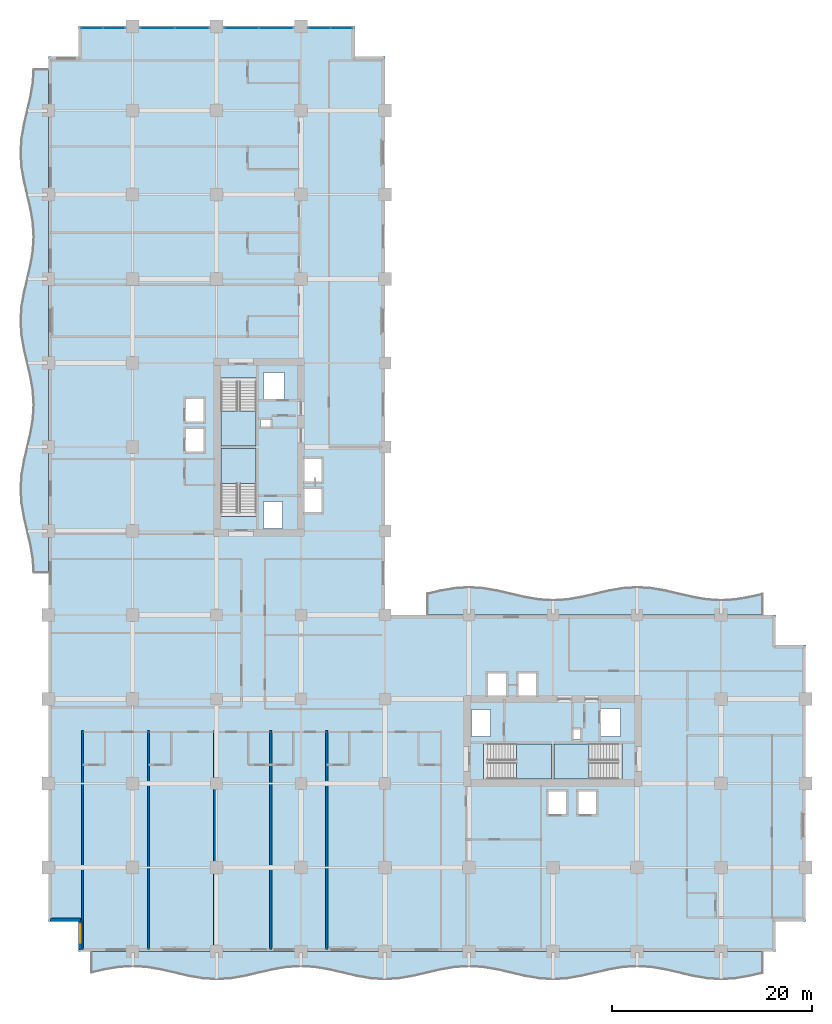
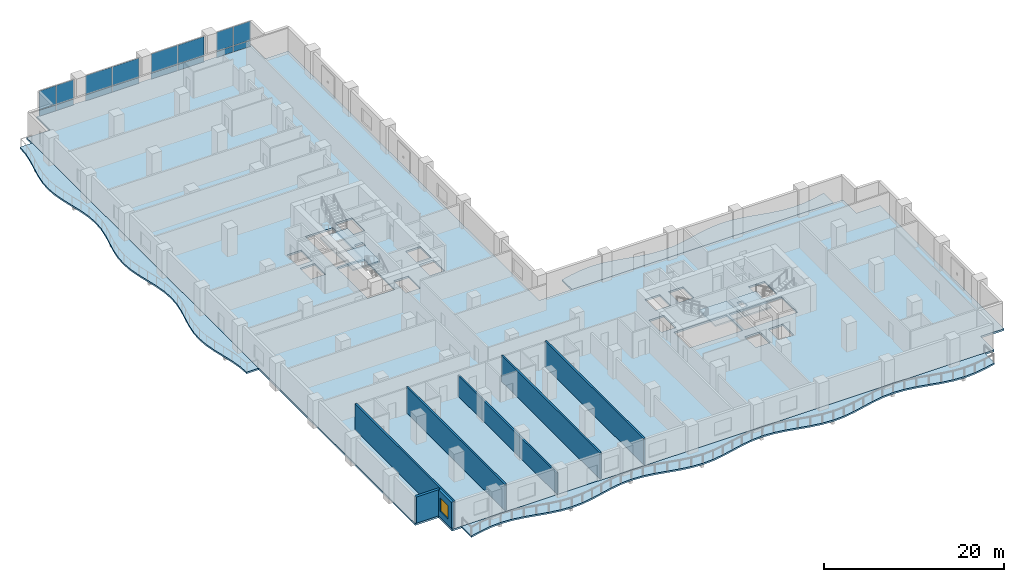
# One storey, part 6 of 20: 16 plates, 8 slabs, 7 walls, 1 window, 1 opening, 8 elements without a shape of their own.
"""IFC4 building model written with IfcOpenShell, lengths in metres."""

import ifcopenshell
import ifcopenshell.guid

model = None  # the IFC model being written
_history = None  # IfcOwnerHistory: only IFC2X3 demands one
_inside = {}  # id of a spatial element -> (the spatial element, [elements in it])
_under = {}  # id of a project, library or spatial element -> (it, [spatial elements below it])
_declared = {}  # id of a project -> (the project, [libraries it declares])
_typed = {}  # id of a type object -> (the type object, [elements of that type])
_made_of = {}  # id of a material, layer set ... -> (it, [elements and type objects made of it])


def new_model(schema):
    """Start an empty IFC model of exactly this schema.

    Asked for "IFC4X3", IfcOpenShell would pick the latest addendum, in which some entities
    have other attributes; the version numbers below select the first issue.
    IFC2X3 requires an IfcOwnerHistory on every rooted entity: one is made here for all.
    """
    global model, _history
    if schema == "IFC4X3":
        model = ifcopenshell.file(schema_version=(4, 3, 0, 0))
    else:
        model = ifcopenshell.file(schema=schema)
    _inside.clear()
    _under.clear()
    _declared.clear()
    _typed.clear()
    _made_of.clear()
    _history = None
    if model.schema == "IFC2X3":
        org = make("IfcOrganization", Name="unknown")
        user = make(
            "IfcPersonAndOrganization",
            ThePerson=make("IfcPerson", FamilyName="unknown"),
            TheOrganization=org,
        )
        app = make(
            "IfcApplication",
            ApplicationDeveloper=org,
            Version="unknown",
            ApplicationFullName="unknown",
            ApplicationIdentifier="unknown",
        )
        _history = make(
            "IfcOwnerHistory",
            OwningUser=user,
            OwningApplication=app,
            ChangeAction="ADDED",
            CreationDate=0,
        )
    return model


def make(cls, **values):
    """One entity of the class cls with the attributes given. An attribute that is None is left unset."""
    return model.create_entity(
        cls, **{name: value for name, value in values.items() if value is not None}
    )


def rooted(cls, **values):
    """An entity with a GlobalId (a new one), such as an element, a storey or a relation."""
    return make(cls, GlobalId=ifcopenshell.guid.new(), OwnerHistory=_history, **values)


def si_unit(unit_type, name, prefix=None):
    """IfcSIUnit, for example si_unit("LENGTHUNIT", "METRE", prefix="MILLI")."""
    return make("IfcSIUnit", UnitType=unit_type, Prefix=prefix, Name=name)


def assignment(units):
    """IfcUnitAssignment: the units of a project."""
    return None if units is None else make("IfcUnitAssignment", Units=units)


def point(xyz):
    """IfcCartesianPoint."""
    return None if xyz is None else make("IfcCartesianPoint", Coordinates=xyz)


def direction(xyz):
    """IfcDirection."""
    return None if xyz is None else make("IfcDirection", DirectionRatios=xyz)


def frame(location, z_axis=None, x_axis=None):
    """IfcAxis2Placement3D, a coordinate frame: its origin and axes. An axis left out is left unset."""
    return make(
        "IfcAxis2Placement3D",
        Location=point(location),
        Axis=direction(z_axis),
        RefDirection=direction(x_axis),
    )


def frame_2d(location, x_axis=None):
    """IfcAxis2Placement2D, a coordinate frame in the plane: its origin and x axis."""
    return make(
        "IfcAxis2Placement2D", Location=point(location), RefDirection=direction(x_axis)
    )


def origin():
    """The frame at (0, 0, 0) with its axes left unset."""
    return frame((0.0, 0.0, 0.0))


def origin_2d():
    """The frame at (0, 0) in the plane with its x axis left unset."""
    return frame_2d((0.0, 0.0))


def place(relative_to, where):
    """IfcLocalPlacement: puts the frame where relative to a parent placement (None: the world)."""
    return make(
        "IfcLocalPlacement", PlacementRelTo=relative_to, RelativePlacement=where
    )


def context(
    kind, dimensions, precision=None, world=None, true_north=None, identifier=None
):
    """IfcGeometricRepresentationContext, for example the 3D "Model" context."""
    return make(
        "IfcGeometricRepresentationContext",
        ContextIdentifier=identifier,
        ContextType=kind,
        CoordinateSpaceDimension=dimensions,
        Precision=precision,
        WorldCoordinateSystem=world,
        TrueNorth=true_north,
    )


def subcontext(parent, identifier, kind, view, scale=None):
    """IfcGeometricRepresentationSubContext, for example "Body" below "Model"."""
    return make(
        "IfcGeometricRepresentationSubContext",
        ContextIdentifier=identifier,
        ContextType=kind,
        ParentContext=parent,
        TargetScale=scale,
        TargetView=view,
    )


def project(units=None, contexts=None):
    """IfcProject with its units and contexts."""
    return rooted(
        "IfcProject",
        Name="project",
        RepresentationContexts=contexts,
        UnitsInContext=assignment(units),
    )


def spatial(cls, under=None, at=None, **own):
    """A site, building, storey or space (cls), placed at a placement, below another one or the project."""
    s = rooted(cls, ObjectPlacement=at, **own)
    if under is not None:
        _under.setdefault(under.id(), (under, []))[1].append(s)
    return s


def polyline(points):
    """IfcPolyline through the points."""
    return make("IfcPolyline", Points=[point(p) for p in points])


def profile(cls, at=None, kind="AREA", **sizes):
    """A parametric profile (cls). Its sizes go by their IFC names, for example OverallWidth=200.0."""
    return make(cls, ProfileType=kind, Position=at, **sizes)


def rectangle(**sizes):
    """IfcRectangleProfileDef."""
    return profile("IfcRectangleProfileDef", **sizes)


def outline(outer, holes=None, kind="AREA"):
    """IfcArbitraryClosedProfileDef: a profile drawn as a closed curve; with holes, ...WithVoids."""
    if holes is None:
        return make("IfcArbitraryClosedProfileDef", ProfileType=kind, OuterCurve=outer)
    return make(
        "IfcArbitraryProfileDefWithVoids",
        ProfileType=kind,
        OuterCurve=outer,
        InnerCurves=holes,
    )


def extrude(swept, where, along, depth):
    """IfcExtrudedAreaSolid: the profile swept, set in the frame where, extruded along a direction by depth."""
    return make(
        "IfcExtrudedAreaSolid",
        SweptArea=swept,
        Position=where,
        ExtrudedDirection=direction(along),
        Depth=depth,
    )


def shape(context_of_items, identifier, shape_type, items):
    """IfcShapeRepresentation: the items that make up one representation, for example the "Body"."""
    return make(
        "IfcShapeRepresentation",
        ContextOfItems=context_of_items,
        RepresentationIdentifier=identifier,
        RepresentationType=shape_type,
        Items=items,
    )


def material(Name=None, Category=None):
    """IfcMaterial."""
    return make("IfcMaterial", Name=Name, Category=Category)


def layer(
    of_material, thickness, ventilated=None, Name=None, Category=None, Priority=None
):
    """IfcMaterialLayer: one layer of a wall or slab, of a material (None: an air gap)."""
    return make(
        "IfcMaterialLayer",
        Material=of_material,
        LayerThickness=thickness,
        IsVentilated=ventilated,
        Name=Name,
        Category=Category,
        Priority=Priority,
    )


def layer_set(layers, Name=None):
    """IfcMaterialLayerSet."""
    return make("IfcMaterialLayerSet", MaterialLayers=layers, LayerSetName=Name)


def made_of(thing, what):
    """Note that an element or type object is made of a material, layer set ...; save() writes the relation."""
    if what is not None:
        _made_of.setdefault(what.id(), (what, []))[1].append(thing)
    return thing


def type_object(cls, material=None, **own):
    """A type object (cls), such as IfcWallType, which elements share."""
    return made_of(rooted(cls, **own), material)


def element(
    cls,
    number,
    at=None,
    inside=None,
    cuts=None,
    type_object=None,
    material=None,
    context=None,
    identifier="Body",
    shape_type=None,
    held_by="IfcProductDefinitionShape",
    body=None,
    shapes=None,
    **own,
):
    """One element of the class cls, such as IfcWall. Its Tag is "e" and its number.

    at: its placement. inside: the storey or other place that contains it. cuts: it is an
    opening in that element (IfcRelVoidsElement). A single representation is given by context,
    identifier, shape_type and body (its items); several are given by shapes. held_by: the class
    of the entity that holds the representations. save() writes the other relations.
    """
    e = rooted(cls, Tag="e%d" % number, ObjectPlacement=at, **own)
    if body is not None:
        shapes = [shape(context, identifier, shape_type, body)]
    if shapes is not None:
        e.Representation = make(held_by, Representations=shapes)
    if inside is not None:
        _inside.setdefault(inside.id(), (inside, []))[1].append(e)
    if cuts is not None:
        rooted(
            "IfcRelVoidsElement", RelatingBuildingElement=cuts, RelatedOpeningElement=e
        )
    if type_object is not None:
        _typed.setdefault(type_object.id(), (type_object, []))[1].append(e)
    return made_of(e, material)


def fill(opening, filler):
    """IfcRelFillsElement: the door or window that sits in an opening."""
    return rooted(
        "IfcRelFillsElement",
        RelatingOpeningElement=opening,
        RelatedBuildingElement=filler,
    )


def aggregate(whole, parts):
    """IfcRelAggregates: a whole, such as a stair, and the parts it consists of."""
    return rooted("IfcRelAggregates", RelatingObject=whole, RelatedObjects=parts)


def save(model, path):
    """Write the relations noted so far, then the file.

    IfcRelAggregates (storeys below a building ...), IfcRelContainedInSpatialStructure (elements
    in a storey), IfcRelDefinesByType, IfcRelAssociatesMaterial and IfcRelDeclares: one each for
    every whole, place, type object, material and project.
    """
    for whole, parts in _under.values():
        aggregate(whole, parts)
    for where, things in _inside.values():
        rooted(
            "IfcRelContainedInSpatialStructure",
            RelatedElements=things,
            RelatingStructure=where,
        )
    for kind, things in _typed.values():
        rooted("IfcRelDefinesByType", RelatedObjects=things, RelatingType=kind)
    for what, things in _made_of.values():
        rooted("IfcRelAssociatesMaterial", RelatedObjects=things, RelatingMaterial=what)
    for by, libraries in _declared.values():
        rooted("IfcRelDeclares", RelatingContext=by, RelatedDefinitions=libraries)
    model.write(path)


model = new_model("IFC4")

# Units and contexts
model_context = context("Model", 3, precision=1e-05, world=origin(), true_north=direction((0.0, 1.0)))
body_context = subcontext(model_context, "Body", "Model", "MODEL_VIEW")
ifc_project = project(units=[si_unit("LENGTHUNIT", "METRE"), si_unit("AREAUNIT", "SQUARE_METRE"), si_unit("VOLUMEUNIT", "CUBIC_METRE"), si_unit("PLANEANGLEUNIT", "RADIAN"), si_unit("MASSUNIT", "GRAM", prefix="KILO")], contexts=[model_context])

# Site, building, storey
site_placement = place(None, origin())
site = spatial("IfcSite", under=ifc_project, at=site_placement, CompositionType="ELEMENT")
building_placement = place(site_placement, origin())
building = spatial("IfcBuilding", under=site, at=building_placement, Name="Koriwani Terraces Tower", CompositionType="ELEMENT")
storey_placement = place(building_placement, frame((0.0, 0.0, 126.60009765625)))
storey = spatial("IfcBuildingStorey", under=building, at=storey_placement, Name="L30", CompositionType="ELEMENT", Elevation=126.60009765625)

# Curtain wall, plates
ifc_material_1 = material(Name="Anodised Bronze Aluminium", Category="aluminium")
ifc_layer_1 = layer(ifc_material_1, 0.179931640625, Name="Anodised Bronze Aluminium")
ifc_layer_set_1 = layer_set([ifc_layer_1], Name="Anodised Bronze Aluminium")
curtain_wall_type = type_object("IfcCurtainWallType", Name="CW_HOTEL_ZONE2", PredefinedType="NOTDEFINED", material=ifc_layer_set_1)
curtain_wall_1_placement = place(storey_placement, origin())
curtain_wall_1 = element("IfcCurtainWall", 1, at=curtain_wall_1_placement, inside=storey, type_object=curtain_wall_type, Name="L30 Unitised Curtain Wall (N_TIP) Bay 1", PredefinedType="NOTDEFINED")
ifc_material_2 = material(Name="Tempered Laminated Low-E Glass", Category="glass")
ifc_layer_2 = layer(ifc_material_2, 0.028076171875, Name="Tempered Laminated Low-E Glass")
ifc_layer_set_2 = layer_set([ifc_layer_2], Name="Tempered Laminated Low-E Glass")
plate_type = type_object("IfcPlateType", Name="CW_PANEL_VISION_28", PredefinedType="CURTAIN_PANEL", material=ifc_layer_set_2)
plate_1_placement = place(storey_placement, frame((4.322509765625, 92.22509765625, 0.06494140625), z_axis=(0.0, 0.0, 1.0), x_axis=(1.0, 0.0, 0.0)))
plate_1 = element("IfcPlate", 2, at=plate_1_placement, type_object=plate_type, Name="CW-Z2 panel 1.1", PredefinedType="CURTAIN_PANEL", context=body_context, shape_type="SweptSolid", body=[
    extrude(rectangle(XDim=2.14501953125, YDim=0.028076171875, at=origin_2d()), origin(), (0.0, 0.0, 1.0), 0.802490234375),
])
plate_2_placement = place(storey_placement, frame((4.322509765625, 92.22509765625, 0.9326171875), z_axis=(0.0, 0.0, 1.0), x_axis=(1.0, 0.0, 0.0)))
plate_2 = element("IfcPlate", 3, at=plate_2_placement, type_object=plate_type, Name="CW-Z2 panel 1.2", PredefinedType="CURTAIN_PANEL", context=body_context, shape_type="SweptSolid", body=[
    extrude(rectangle(XDim=2.14501953125, YDim=0.028076171875, at=origin_2d()), origin(), (0.0, 0.0, 1.0), 2.552490234375),
])
plate_3_placement = place(storey_placement, frame((6.54248046875, 92.22509765625, 0.06494140625), z_axis=(0.0, 0.0, 1.0), x_axis=(1.0, 0.0, 0.0)))
plate_3 = element("IfcPlate", 4, at=plate_3_placement, type_object=plate_type, Name="CW-Z2 panel 2.1", PredefinedType="CURTAIN_PANEL", context=body_context, shape_type="SweptSolid", body=[
    extrude(rectangle(XDim=2.14501953125, YDim=0.028076171875, at=origin_2d()), origin(), (0.0, 0.0, 1.0), 0.802490234375),
])
plate_4_placement = place(storey_placement, frame((6.54248046875, 92.22509765625, 0.9326171875), z_axis=(0.0, 0.0, 1.0), x_axis=(1.0, 0.0, 0.0)))
plate_4 = element("IfcPlate", 5, at=plate_4_placement, type_object=plate_type, Name="CW-Z2 panel 2.2", PredefinedType="CURTAIN_PANEL", context=body_context, shape_type="SweptSolid", body=[
    extrude(rectangle(XDim=2.14501953125, YDim=0.028076171875, at=origin_2d()), origin(), (0.0, 0.0, 1.0), 2.552490234375),
])
aggregate(curtain_wall_1, [plate_1, plate_2, plate_3, plate_4])

curtain_wall_2_placement = place(storey_placement, origin())
curtain_wall_2 = element("IfcCurtainWall", 6, at=curtain_wall_2_placement, inside=storey, type_object=curtain_wall_type, Name="L30 Unitised Curtain Wall (N_TIP) Bay 2", PredefinedType="NOTDEFINED")
plate_5_placement = place(storey_placement, frame((10.873779296875, 92.22509765625, 0.06494140625), z_axis=(0.0, 0.0, 1.0), x_axis=(1.0, 0.0, 0.0)))
plate_5 = element("IfcPlate", 7, at=plate_5_placement, type_object=plate_type, Name="CW-Z2 panel 1.1", PredefinedType="CURTAIN_PANEL", context=body_context, shape_type="SweptSolid", body=[
    extrude(rectangle(XDim=3.37744140625, YDim=0.028076171875, at=origin_2d()), origin(), (0.0, 0.0, 1.0), 0.802490234375),
])
plate_6_placement = place(storey_placement, frame((10.873779296875, 92.22509765625, 0.9326171875), z_axis=(0.0, 0.0, 1.0), x_axis=(1.0, 0.0, 0.0)))
plate_6 = element("IfcPlate", 8, at=plate_6_placement, type_object=plate_type, Name="CW-Z2 panel 1.2", PredefinedType="CURTAIN_PANEL", context=body_context, shape_type="SweptSolid", body=[
    extrude(rectangle(XDim=3.37744140625, YDim=0.028076171875, at=origin_2d()), origin(), (0.0, 0.0, 1.0), 2.552490234375),
])
plate_7_placement = place(storey_placement, frame((14.326171875, 92.22509765625, 0.06494140625), z_axis=(0.0, 0.0, 1.0), x_axis=(1.0, 0.0, 0.0)))
plate_7 = element("IfcPlate", 9, at=plate_7_placement, type_object=plate_type, Name="CW-Z2 panel 2.1", PredefinedType="CURTAIN_PANEL", context=body_context, shape_type="SweptSolid", body=[
    extrude(rectangle(XDim=3.37744140625, YDim=0.028076171875, at=origin_2d()), origin(), (0.0, 0.0, 1.0), 0.802490234375),
])
plate_8_placement = place(storey_placement, frame((14.326171875, 92.22509765625, 0.9326171875), z_axis=(0.0, 0.0, 1.0), x_axis=(1.0, 0.0, 0.0)))
plate_8 = element("IfcPlate", 10, at=plate_8_placement, type_object=plate_type, Name="CW-Z2 panel 2.2", PredefinedType="CURTAIN_PANEL", context=body_context, shape_type="SweptSolid", body=[
    extrude(rectangle(XDim=3.37744140625, YDim=0.028076171875, at=origin_2d()), origin(), (0.0, 0.0, 1.0), 2.552490234375),
])
aggregate(curtain_wall_2, [plate_5, plate_6, plate_7, plate_8])

curtain_wall_3_placement = place(storey_placement, origin())
curtain_wall_3 = element("IfcCurtainWall", 11, at=curtain_wall_3_placement, inside=storey, type_object=curtain_wall_type, Name="L30 Unitised Curtain Wall (N_TIP) Bay 3", PredefinedType="NOTDEFINED")
plate_9_placement = place(storey_placement, frame((19.273681640625, 92.22509765625, 0.06494140625), z_axis=(0.0, 0.0, 1.0), x_axis=(1.0, 0.0, 0.0)))
plate_9 = element("IfcPlate", 12, at=plate_9_placement, type_object=plate_type, Name="CW-Z2 panel 1.1", PredefinedType="CURTAIN_PANEL", context=body_context, shape_type="SweptSolid", body=[
    extrude(rectangle(XDim=3.37744140625, YDim=0.028076171875, at=origin_2d()), origin(), (0.0, 0.0, 1.0), 0.802490234375),
])
plate_10_placement = place(storey_placement, frame((19.273681640625, 92.22509765625, 0.9326171875), z_axis=(0.0, 0.0, 1.0), x_axis=(1.0, 0.0, 0.0)))
plate_10 = element("IfcPlate", 13, at=plate_10_placement, type_object=plate_type, Name="CW-Z2 panel 1.2", PredefinedType="CURTAIN_PANEL", context=body_context, shape_type="SweptSolid", body=[
    extrude(rectangle(XDim=3.37744140625, YDim=0.028076171875, at=origin_2d()), origin(), (0.0, 0.0, 1.0), 2.552490234375),
])
plate_11_placement = place(storey_placement, frame((22.726318359375, 92.22509765625, 0.06494140625), z_axis=(0.0, 0.0, 1.0), x_axis=(1.0, 0.0, 0.0)))
plate_11 = element("IfcPlate", 14, at=plate_11_placement, type_object=plate_type, Name="CW-Z2 panel 2.1", PredefinedType="CURTAIN_PANEL", context=body_context, shape_type="SweptSolid", body=[
    extrude(rectangle(XDim=3.37744140625, YDim=0.028076171875, at=origin_2d()), origin(), (0.0, 0.0, 1.0), 0.802490234375),
])
plate_12_placement = place(storey_placement, frame((22.726318359375, 92.22509765625, 0.9326171875), z_axis=(0.0, 0.0, 1.0), x_axis=(1.0, 0.0, 0.0)))
plate_12 = element("IfcPlate", 15, at=plate_12_placement, type_object=plate_type, Name="CW-Z2 panel 2.2", PredefinedType="CURTAIN_PANEL", context=body_context, shape_type="SweptSolid", body=[
    extrude(rectangle(XDim=3.37744140625, YDim=0.028076171875, at=origin_2d()), origin(), (0.0, 0.0, 1.0), 2.552490234375),
])
aggregate(curtain_wall_3, [plate_9, plate_10, plate_11, plate_12])

curtain_wall_4_placement = place(storey_placement, origin())
curtain_wall_4 = element("IfcCurtainWall", 16, at=curtain_wall_4_placement, inside=storey, type_object=curtain_wall_type, Name="L30 Unitised Curtain Wall (N_TIP) Bay 4", PredefinedType="NOTDEFINED")
plate_13_placement = place(storey_placement, frame((27.0576171875, 92.22509765625, 0.06494140625), z_axis=(0.0, 0.0, 1.0), x_axis=(1.0, 0.0, 0.0)))
plate_13 = element("IfcPlate", 17, at=plate_13_placement, type_object=plate_type, Name="CW-Z2 panel 1.1", PredefinedType="CURTAIN_PANEL", context=body_context, shape_type="SweptSolid", body=[
    extrude(rectangle(XDim=2.14501953125, YDim=0.028076171875, at=origin_2d()), origin(), (0.0, 0.0, 1.0), 0.802490234375),
])
plate_14_placement = place(storey_placement, frame((27.0576171875, 92.22509765625, 0.9326171875), z_axis=(0.0, 0.0, 1.0), x_axis=(1.0, 0.0, 0.0)))
plate_14 = element("IfcPlate", 18, at=plate_14_placement, type_object=plate_type, Name="CW-Z2 panel 1.2", PredefinedType="CURTAIN_PANEL", context=body_context, shape_type="SweptSolid", body=[
    extrude(rectangle(XDim=2.14501953125, YDim=0.028076171875, at=origin_2d()), origin(), (0.0, 0.0, 1.0), 2.552490234375),
])
plate_15_placement = place(storey_placement, frame((29.277587890625, 92.22509765625, 0.06494140625), z_axis=(0.0, 0.0, 1.0), x_axis=(1.0, 0.0, 0.0)))
plate_15 = element("IfcPlate", 19, at=plate_15_placement, type_object=plate_type, Name="CW-Z2 panel 2.1", PredefinedType="CURTAIN_PANEL", context=body_context, shape_type="SweptSolid", body=[
    extrude(rectangle(XDim=2.14501953125, YDim=0.028076171875, at=origin_2d()), origin(), (0.0, 0.0, 1.0), 0.802490234375),
])
plate_16_placement = place(storey_placement, frame((29.277587890625, 92.22509765625, 0.9326171875), z_axis=(0.0, 0.0, 1.0), x_axis=(1.0, 0.0, 0.0)))
plate_16 = element("IfcPlate", 20, at=plate_16_placement, type_object=plate_type, Name="CW-Z2 panel 2.2", PredefinedType="CURTAIN_PANEL", context=body_context, shape_type="SweptSolid", body=[
    extrude(rectangle(XDim=2.14501953125, YDim=0.028076171875, at=origin_2d()), origin(), (0.0, 0.0, 1.0), 2.552490234375),
])
aggregate(curtain_wall_4, [plate_13, plate_14, plate_15, plate_16])

# Slabs
ifc_material_3 = material(Name="Concrete C40/50", Category="concrete")
ifc_layer_3 = layer(ifc_material_3, 0.219970703125, Name="Concrete C40/50")
ifc_layer_set_3 = layer_set([ifc_layer_3], Name="Concrete C40/50")
slab_type_1 = type_object("IfcSlabType", Name="SLAB_BALCONY_220", PredefinedType="FLOOR", material=ifc_layer_set_3)
slab_1_placement = place(storey_placement, frame((0.0, 0.0, -0.22021484375)))
element("IfcSlab", 21, at=slab_1_placement, inside=storey, type_object=slab_type_1, Name="L30 Quilted Circular-Arc Balcony (S)", PredefinedType="FLOOR", context=body_context, shape_type="SweptSolid", body=[
    extrude(outline(polyline([(4.199951171875, 0.0), (5.60009765625, 0.0), (7.0, 0.0), (8.39990234375, 0.0), (9.800048828125, 0.0), (11.199951171875, 0.0), (12.60009765625, 0.0), (14.0, 0.0), (15.39990234375, 0.0), (16.800048828125, 0.0), (18.199951171875, 0.0), (19.60009765625, 0.0), (21.0, 0.0), (22.39990234375, 0.0), (23.800048828125, 0.0), (25.199951171875, 0.0), (26.60009765625, 0.0), (28.0, 0.0), (29.39990234375, 0.0), (30.800048828125, 0.0), (32.199951171875, 0.0), (33.60009765625, 0.0), (35.0, 0.0), (36.39990234375, 0.0), (37.800048828125, 0.0), (39.199951171875, 0.0), (40.60009765625, 0.0), (42.0, 0.0), (43.39990234375, 0.0), (44.800048828125, 0.0), (46.199951171875, 0.0), (47.60009765625, 0.0), (49.0, 0.0), (50.39990234375, 0.0), (51.800048828125, 0.0), (53.199951171875, 0.0), (54.60009765625, 0.0), (56.0, 0.0), (57.39990234375, 0.0), (58.800048828125, 0.0), (60.199951171875, 0.0), (61.60009765625, 0.0), (63.0, 0.0), (64.39990234375, 0.0), (65.800048828125, 0.0), (67.199951171875, 0.0), (68.60009765625, 0.0), (70.0, 0.0), (71.39990234375, 0.0), (71.39990234375, -2.199951171875), (70.0, -2.52490234375), (68.60009765625, -2.762939453125), (67.199951171875, -2.85009765625), (65.800048828125, -2.762939453125), (64.39990234375, -2.52490234375), (63.0, -2.199951171875), (61.60009765625, -1.875), (60.199951171875, -1.63720703125), (58.800048828125, -1.550048828125), (57.39990234375, -1.63720703125), (56.0, -1.875), (54.60009765625, -2.199951171875), (53.199951171875, -2.52490234375), (51.800048828125, -2.762939453125), (50.39990234375, -2.85009765625), (49.0, -2.762939453125), (47.60009765625, -2.52490234375), (46.199951171875, -2.199951171875), (44.800048828125, -1.875), (43.39990234375, -1.63720703125), (42.0, -1.550048828125), (40.60009765625, -1.63720703125), (39.199951171875, -1.875), (37.800048828125, -2.199951171875), (36.39990234375, -2.52490234375), (35.0, -2.762939453125), (33.60009765625, -2.85009765625), (32.199951171875, -2.762939453125), (30.800048828125, -2.52490234375), (29.39990234375, -2.199951171875), (28.0, -1.875), (26.60009765625, -1.63720703125), (25.199951171875, -1.550048828125), (23.800048828125, -1.63720703125), (22.39990234375, -1.875), (21.0, -2.199951171875), (19.60009765625, -2.52490234375), (18.199951171875, -2.762939453125), (16.800048828125, -2.85009765625), (15.39990234375, -2.762939453125), (14.0, -2.52490234375), (12.60009765625, -2.199951171875), (11.199951171875, -1.875), (9.800048828125, -1.63720703125), (8.39990234375, -1.550048828125), (7.0, -1.63720703125), (5.60009765625, -1.875), (4.199951171875, -2.199951171875), (4.199951171875, 0.0)])), origin(), (0.0, 0.0, 1.0), 0.22021484375),
])
slab_2_placement = place(storey_placement, frame((0.0, 0.0, -0.22021484375)))
element("IfcSlab", 22, at=slab_2_placement, inside=storey, type_object=slab_type_1, Name="L30 Quilted Circular-Arc Balcony (W)", PredefinedType="FLOOR", context=body_context, shape_type="SweptSolid", body=[
    extrude(outline(polyline([(0.0, 37.800048828125), (0.0, 39.199951171875), (0.0, 40.60009765625), (0.0, 42.0), (0.0, 43.39990234375), (0.0, 44.800048828125), (0.0, 46.199951171875), (0.0, 47.60009765625), (0.0, 49.0), (0.0, 50.39990234375), (0.0, 51.800048828125), (0.0, 53.199951171875), (0.0, 54.60009765625), (0.0, 56.0), (0.0, 57.39990234375), (0.0, 58.800048828125), (0.0, 60.199951171875), (0.0, 61.60009765625), (0.0, 63.0), (0.0, 64.39990234375), (0.0, 65.800048828125), (0.0, 67.199951171875), (0.0, 68.60009765625), (0.0, 70.0), (0.0, 71.39990234375), (0.0, 72.800048828125), (0.0, 74.199951171875), (0.0, 75.60009765625), (0.0, 77.0), (0.0, 78.39990234375), (0.0, 79.800048828125), (0.0, 81.199951171875), (0.0, 82.60009765625), (0.0, 84.0), (0.0, 85.39990234375), (0.0, 86.800048828125), (0.0, 88.199951171875), (-1.550048828125, 88.199951171875), (-1.63720703125, 86.800048828125), (-1.875, 85.39990234375), (-2.199951171875, 84.0), (-2.52490234375, 82.60009765625), (-2.762939453125, 81.199951171875), (-2.85009765625, 79.800048828125), (-2.762939453125, 78.39990234375), (-2.52490234375, 77.0), (-2.199951171875, 75.60009765625), (-1.875, 74.199951171875), (-1.63720703125, 72.800048828125), (-1.550048828125, 71.39990234375), (-1.63720703125, 70.0), (-1.875, 68.60009765625), (-2.199951171875, 67.199951171875), (-2.52490234375, 65.800048828125), (-2.762939453125, 64.39990234375), (-2.85009765625, 63.0), (-2.762939453125, 61.60009765625), (-2.52490234375, 60.199951171875), (-2.199951171875, 58.800048828125), (-1.875, 57.39990234375), (-1.63720703125, 56.0), (-1.550048828125, 54.60009765625), (-1.63720703125, 53.199951171875), (-1.875, 51.800048828125), (-2.199951171875, 50.39990234375), (-2.52490234375, 49.0), (-2.762939453125, 47.60009765625), (-2.85009765625, 46.199951171875), (-2.762939453125, 44.800048828125), (-2.52490234375, 43.39990234375), (-2.199951171875, 42.0), (-1.875, 40.60009765625), (-1.63720703125, 39.199951171875), (-1.550048828125, 37.800048828125), (0.0, 37.800048828125)])), origin(), (0.0, 0.0, 1.0), 0.22021484375),
])
slab_3_placement = place(storey_placement, frame((0.0, 0.0, -0.22021484375)))
element("IfcSlab", 23, at=slab_3_placement, inside=storey, type_object=slab_type_1, Name="L30 Quilted Circular-Arc Balcony (NE)", PredefinedType="FLOOR", context=body_context, shape_type="SweptSolid", body=[
    extrude(outline(polyline([(71.39990234375, 33.60009765625), (70.0, 33.60009765625), (68.60009765625, 33.60009765625), (67.199951171875, 33.60009765625), (65.800048828125, 33.60009765625), (64.39990234375, 33.60009765625), (63.0, 33.60009765625), (61.60009765625, 33.60009765625), (60.199951171875, 33.60009765625), (58.800048828125, 33.60009765625), (57.39990234375, 33.60009765625), (56.0, 33.60009765625), (54.60009765625, 33.60009765625), (53.199951171875, 33.60009765625), (51.800048828125, 33.60009765625), (50.39990234375, 33.60009765625), (49.0, 33.60009765625), (47.60009765625, 33.60009765625), (46.199951171875, 33.60009765625), (44.800048828125, 33.60009765625), (43.39990234375, 33.60009765625), (42.0, 33.60009765625), (40.60009765625, 33.60009765625), (39.199951171875, 33.60009765625), (37.800048828125, 33.60009765625), (37.800048828125, 35.800048828125), (39.199951171875, 36.125), (40.60009765625, 36.36279296875), (42.0, 36.449951171875), (43.39990234375, 36.36279296875), (44.800048828125, 36.125), (46.199951171875, 35.800048828125), (47.60009765625, 35.47509765625), (49.0, 35.237060546875), (50.39990234375, 35.14990234375), (51.800048828125, 35.237060546875), (53.199951171875, 35.47509765625), (54.60009765625, 35.800048828125), (56.0, 36.125), (57.39990234375, 36.36279296875), (58.800048828125, 36.449951171875), (60.199951171875, 36.36279296875), (61.60009765625, 36.125), (63.0, 35.800048828125), (64.39990234375, 35.47509765625), (65.800048828125, 35.237060546875), (67.199951171875, 35.14990234375), (68.60009765625, 35.237060546875), (70.0, 35.47509765625), (71.39990234375, 35.800048828125), (71.39990234375, 33.60009765625)])), origin(), (0.0, 0.0, 1.0), 0.22021484375),
])

# Stair, slab
stair_type = type_object("IfcStairType", Name="STAIR_CORE_DOGLEG_1650", PredefinedType="TWO_STRAIGHT_RUN_STAIR", material=ifc_material_3)
stair_1_placement = place(storey_placement, origin())
stair_1 = element("IfcStair", 24, at=stair_1_placement, inside=storey, type_object=stair_type, Name="L30 West Core Exit Stair 1", PredefinedType="HALF_TURN_STAIR")
ifc_layer_4 = layer(ifc_material_3, 0.199951171875, Name="Concrete C40/50")
ifc_layer_set_4 = layer_set([ifc_layer_4], Name="Concrete C40/50")
slab_type_2 = type_object("IfcSlabType", Name="SLAB_STAIR_LANDING_200", PredefinedType="LANDING", material=ifc_layer_set_4)
slab_4_placement = place(storey_placement, frame((0.0, 0.0, 1.699951171875)))
slab_4 = element("IfcSlab", 25, at=slab_4_placement, type_object=slab_type_2, Name="ST-W1 landing 1", PredefinedType="LANDING", context=body_context, shape_type="SweptSolid", body=[
    extrude(outline(polyline([(20.75, 46.75), (20.75, 50.25), (17.25, 50.25), (17.25, 46.75), (20.75, 46.75)])), origin(), (0.0, 0.0, 1.0), 0.199951171875),
])
aggregate(stair_1, [slab_4])

stair_2_placement = place(storey_placement, origin())
stair_2 = element("IfcStair", 26, at=stair_2_placement, inside=storey, type_object=stair_type, Name="L30 West Core Exit Stair 2", PredefinedType="HALF_TURN_STAIR")
slab_5_placement = place(storey_placement, frame((0.0, 0.0, 1.699951171875)))
slab_5 = element("IfcSlab", 27, at=slab_5_placement, type_object=slab_type_2, Name="ST-W2 landing 1", PredefinedType="LANDING", context=body_context, shape_type="SweptSolid", body=[
    extrude(outline(polyline([(17.25, 54.0), (17.25, 50.5), (20.75, 50.5), (20.75, 54.0), (17.25, 54.0)])), origin(), (0.0, 0.0, 1.0), 0.199951171875),
])
aggregate(stair_2, [slab_5])

stair_3_placement = place(storey_placement, origin())
stair_3 = element("IfcStair", 28, at=stair_3_placement, inside=storey, type_object=stair_type, Name="L30 East Core Exit Stair 1", PredefinedType="HALF_TURN_STAIR")
slab_6_placement = place(storey_placement, frame((0.0, 0.0, 1.699951171875)))
slab_6 = element("IfcSlab", 29, at=slab_6_placement, type_object=slab_type_2, Name="ST-E1 landing 1", PredefinedType="LANDING", context=body_context, shape_type="SweptSolid", body=[
    extrude(outline(polyline([(46.75, 17.25), (50.25, 17.25), (50.25, 20.75), (46.75, 20.75), (46.75, 17.25)])), origin(), (0.0, 0.0, 1.0), 0.199951171875),
])
aggregate(stair_3, [slab_6])

stair_4_placement = place(storey_placement, origin())
stair_4 = element("IfcStair", 30, at=stair_4_placement, inside=storey, type_object=stair_type, Name="L30 East Core Exit Stair 2", PredefinedType="HALF_TURN_STAIR")
slab_7_placement = place(storey_placement, frame((0.0, 0.0, 1.699951171875)))
slab_7 = element("IfcSlab", 31, at=slab_7_placement, type_object=slab_type_2, Name="ST-E2 landing 1", PredefinedType="LANDING", context=body_context, shape_type="SweptSolid", body=[
    extrude(outline(polyline([(54.0, 20.75), (50.5, 20.75), (50.5, 17.25), (54.0, 17.25), (54.0, 20.75)])), origin(), (0.0, 0.0, 1.0), 0.199951171875),
])
aggregate(stair_4, [slab_7])

# Slab
ifc_layer_5 = layer(ifc_material_3, 0.25, Name="Concrete C40/50")
ifc_layer_set_5 = layer_set([ifc_layer_5], Name="Concrete C40/50")
slab_type_3 = type_object("IfcSlabType", Name="SLAB_TOWER_TYP_250", PredefinedType="FLOOR", material=ifc_layer_set_5)
slab_8_placement = place(storey_placement, frame((0.0, 0.0, -0.25)))
element("IfcSlab", 32, at=slab_8_placement, inside=storey, type_object=slab_type_3, Name="L30 Structural Floor Slab", PredefinedType="FLOOR", context=body_context, shape_type="SweptSolid", body=[
    extrude(outline(polyline([(3.0, 0.0), (72.60009765625, 0.0), (72.60009765625, 3.0), (75.60009765625, 3.0), (75.60009765625, 30.60009765625), (72.60009765625, 30.60009765625), (72.60009765625, 33.60009765625), (33.60009765625, 33.60009765625), (33.60009765625, 89.39990234375), (30.60009765625, 89.39990234375), (30.60009765625, 92.39990234375), (3.0, 92.39990234375), (3.0, 89.39990234375), (0.0, 89.39990234375), (0.0, 3.0), (3.0, 3.0), (3.0, 0.0)]), holes=[polyline([(17.25, 43.4599609375), (20.75, 43.4599609375), (20.75, 50.25), (17.25, 50.25), (17.25, 43.4599609375)]), polyline([(17.25, 50.5), (20.75, 50.5), (20.75, 57.2900390625), (17.25, 57.2900390625), (17.25, 50.5)]), polyline([(43.4599609375, 17.25), (50.25, 17.25), (50.25, 20.75), (43.4599609375, 20.75), (43.4599609375, 17.25)]), polyline([(50.5, 17.25), (57.2900390625, 17.25), (57.2900390625, 20.75), (50.5, 20.75), (50.5, 17.25)]), polyline([(13.64990234375, 49.85009765625), (15.550048828125, 49.85009765625), (15.550048828125, 52.25), (13.64990234375, 52.25), (13.64990234375, 49.85009765625)]), polyline([(13.64990234375, 52.85009765625), (15.550048828125, 52.85009765625), (15.550048828125, 55.25), (13.64990234375, 55.25), (13.64990234375, 52.85009765625)]), polyline([(49.85009765625, 13.64990234375), (51.75, 13.64990234375), (51.75, 16.050048828125), (49.85009765625, 16.050048828125), (49.85009765625, 13.64990234375)]), polyline([(52.85009765625, 13.64990234375), (54.75, 13.64990234375), (54.75, 16.050048828125), (52.85009765625, 16.050048828125), (52.85009765625, 13.64990234375)]), polyline([(25.449951171875, 43.85009765625), (27.35009765625, 43.85009765625), (27.35009765625, 46.25), (25.449951171875, 46.25), (25.449951171875, 43.85009765625)]), polyline([(25.449951171875, 46.85009765625), (27.35009765625, 46.85009765625), (27.35009765625, 49.25), (25.449951171875, 49.25), (25.449951171875, 46.85009765625)]), polyline([(43.85009765625, 25.449951171875), (45.75, 25.449951171875), (45.75, 27.85009765625), (43.85009765625, 27.85009765625), (43.85009765625, 25.449951171875)]), polyline([(46.85009765625, 25.449951171875), (48.75, 25.449951171875), (48.75, 27.85009765625), (46.85009765625, 27.85009765625), (46.85009765625, 25.449951171875)]), polyline([(21.449951171875, 55.050048828125), (23.550048828125, 55.050048828125), (23.550048828125, 57.85009765625), (21.449951171875, 57.85009765625), (21.449951171875, 55.050048828125)]), polyline([(55.050048828125, 21.449951171875), (57.14990234375, 21.449951171875), (57.14990234375, 24.25), (55.050048828125, 24.25), (55.050048828125, 21.449951171875)]), polyline([(21.449951171875, 42.25), (23.35009765625, 42.25), (23.35009765625, 44.949951171875), (21.449951171875, 44.949951171875), (21.449951171875, 42.25)]), polyline([(42.25, 21.449951171875), (44.14990234375, 21.449951171875), (44.14990234375, 24.14990234375), (42.25, 24.14990234375), (42.25, 21.449951171875)]), polyline([(21.14990234375, 52.419921875), (22.219970703125, 52.419921875), (22.219970703125, 53.179931640625), (21.14990234375, 53.179931640625), (21.14990234375, 52.419921875)]), polyline([(52.419921875, 21.14990234375), (53.179931640625, 21.14990234375), (53.179931640625, 22.219970703125), (52.419921875, 22.219970703125), (52.419921875, 21.14990234375)])]), origin(), (0.0, 0.0, 1.0), 0.25),
])

# Walls
ifc_material_4 = material(Name="Autoclaved Cellular Concrete Blockwork", Category="masonry")
ifc_layer_6 = layer(ifc_material_4, 0.219970703125, Name="Autoclaved Cellular Concrete Blockwork")
ifc_layer_set_6 = layer_set([ifc_layer_6], Name="Autoclaved Cellular Concrete Blockwork")
wall_type_1 = type_object("IfcWallType", Name="WALL_DEMISING_220", PredefinedType="PARTITIONING", material=ifc_layer_set_6)
for number, where, z_axis, x_axis, name in (
    (33, (3.39990234375, 0.199951171875, 0.0), (0.0, 0.0, 1.0), (0.0, 1.0, 0.0), "L30 Interior Wall WDEM-L30-SW-0"),
    (34, (10.0, 0.199951171875, 0.0), (0.0, 0.0, 1.0), (0.0, 1.0, 0.0), "L30 Interior Wall WDEM-L30-SW-1"),
):
    element("IfcWall", number, at=place(storey_placement, frame(where, z_axis=z_axis, x_axis=x_axis)), inside=storey, type_object=wall_type_1, Name=name, PredefinedType="PARTITIONING", context=body_context, shape_type="SweptSolid", body=[
        extrude(rectangle(XDim=21.880126953125, YDim=0.219970703125, at=frame_2d((10.93994140625, 0.0))), origin(), (0.0, 0.0, 1.0), 3.5498046875),
    ])
wall_1_placement = place(storey_placement, frame((16.60009765625, 0.199951171875, 0.0), z_axis=(0.0, 0.0, 1.0), x_axis=(0.0, 1.0, 0.0)))
element("IfcWall", 35, at=wall_1_placement, inside=storey, type_object=wall_type_1, Name="L30 Interior Wall WDEM-L30-SW-2", PredefinedType="PARTITIONING", context=body_context, shape_type="SweptSolid", body=[
    extrude(rectangle(XDim=21.880126953125, YDim=0.219970703125, at=frame_2d((10.93994140625, 0.0))), origin(), (0.0, 0.0, 1.0), 2.7998046875),
])
for number, where, z_axis, x_axis, name in (
    (36, (22.199951171875, 0.199951171875, 0.0), (0.0, 0.0, 1.0), (0.0, 1.0, 0.0), "L30 Interior Wall WDEM-L30-SW-3"),
    (37, (27.800048828125, 0.199951171875, 0.0), (0.0, 0.0, 1.0), (0.0, 1.0, 0.0), "L30 Interior Wall WDEM-L30-SW-4"),
):
    element("IfcWall", number, at=place(storey_placement, frame(where, z_axis=z_axis, x_axis=x_axis)), inside=storey, type_object=wall_type_1, Name=name, PredefinedType="PARTITIONING", context=body_context, shape_type="SweptSolid", body=[
        extrude(rectangle(XDim=21.880126953125, YDim=0.219970703125, at=frame_2d((10.93994140625, 0.0))), origin(), (0.0, 0.0, 1.0), 3.5498046875),
    ])

# Wall, opening, window
ifc_material_5 = material(Name="Concrete C50/60", Category="concrete")
ifc_layer_7 = layer(ifc_material_5, 0.35009765625, Name="Concrete C50/60")
ifc_layer_set_7 = layer_set([ifc_layer_7], Name="Concrete C50/60")
wall_type_2 = type_object("IfcWallType", Name="WALL_EXT_BRUTALIST_350", PredefinedType="STANDARD", material=ifc_layer_set_7)
wall_2_placement = place(storey_placement, frame((3.175048828125, 0.175048828125, 0.0), z_axis=(0.0, 0.0, 1.0), x_axis=(0.0, 1.0, 0.0)))
wall_2 = element("IfcWall", 38, at=wall_2_placement, inside=storey, type_object=wall_type_2, Name="L30 Fair-Faced Brutalist Exterior Wall (N0)", PredefinedType="STANDARD", context=body_context, shape_type="SweptSolid", body=[
    extrude(rectangle(XDim=3.0, YDim=0.35009765625, at=frame_2d((1.5, 0.0))), origin(), (0.0, 0.0, 1.0), 3.5498046875),
])
opening_placement = place(wall_2_placement, frame((0.677490234375, 0.0, 0.85009765625)))
opening = element("IfcOpeningElement", 39, at=opening_placement, cuts=wall_2, Name="Opening W-04", PredefinedType="OPENING", context=body_context, shape_type="SweptSolid", body=[
    extrude(rectangle(XDim=1.800048828125, YDim=1.800048828125, at=frame_2d((0.89990234375, 0.89990234375))), frame((0.0, 0.18505859375, 0.0), z_axis=(0.0, -1.0, 0.0), x_axis=(1.0, 0.0, 0.0)), (0.0, 0.0, 1.0), 0.3701171875),
])
window_type = type_object("IfcWindowType", Name="WIN_RES_BED_1800X1800", PartitioningType="DOUBLE_PANEL_VERTICAL", PredefinedType="WINDOW", material=ifc_material_2)
window_placement = place(opening_placement, origin())
window = element("IfcWindow", 40, at=window_placement, inside=storey, type_object=window_type, Name="L30 Exterior Window (N0-R31)", OverallHeight=1.800048828125, OverallWidth=1.800048828125, PartitioningType="SINGLE_PANEL", PredefinedType="WINDOW", context=body_context, shape_type="SweptSolid", body=[
    extrude(rectangle(XDim=1.800048828125, YDim=1.800048828125, at=frame_2d((0.89990234375, 0.89990234375))), frame((0.0, 0.030029296875, 0.0), z_axis=(0.0, -1.0, 0.0), x_axis=(1.0, 0.0, 0.0)), (0.0, 0.0, 1.0), 0.06005859375),
])
fill(opening, window)

# Wall
wall_3_placement = place(storey_placement, frame((3.175048828125, 3.175048828125, 0.0), z_axis=(0.0, 0.0, 1.0), x_axis=(-1.0, 0.0, 0.0)))
element("IfcWall", 41, at=wall_3_placement, inside=storey, type_object=wall_type_2, Name="L30 Fair-Faced Brutalist Exterior Wall (N1)", PredefinedType="STANDARD", context=body_context, shape_type="SweptSolid", body=[
    extrude(rectangle(XDim=3.0, YDim=0.35009765625, at=frame_2d((1.5, 0.0))), origin(), (0.0, 0.0, 1.0), 3.5498046875),
])

save(model, "model.ifc")
